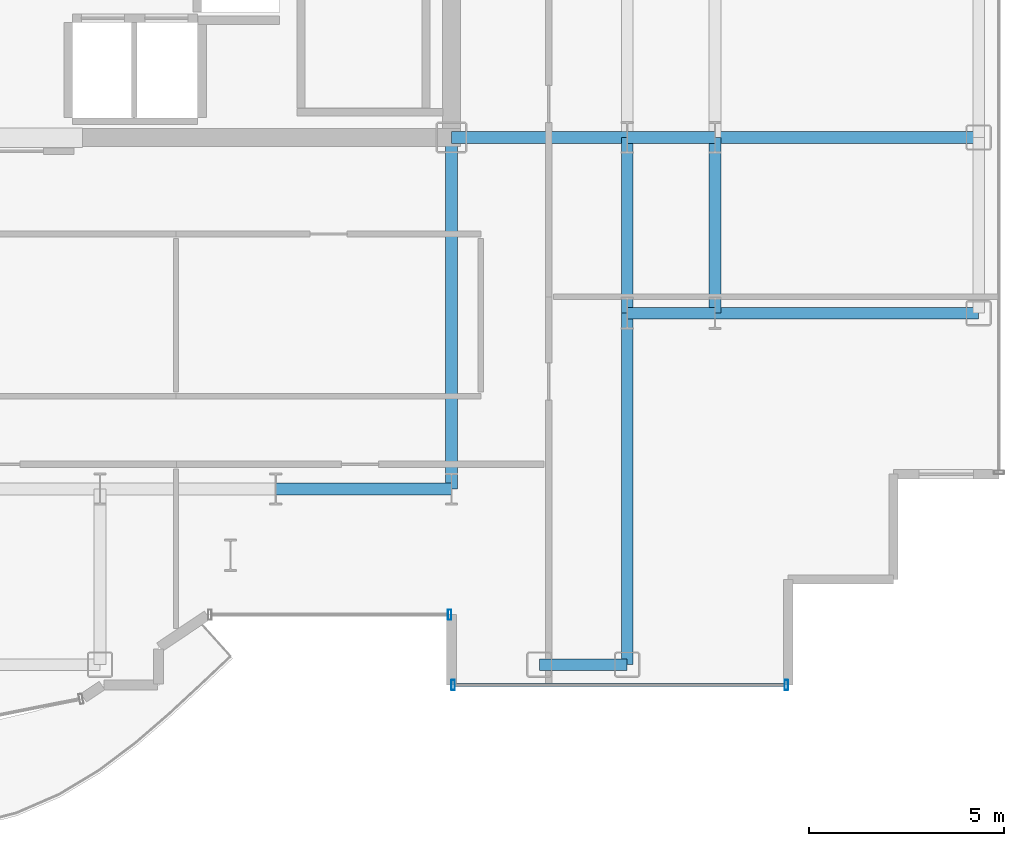
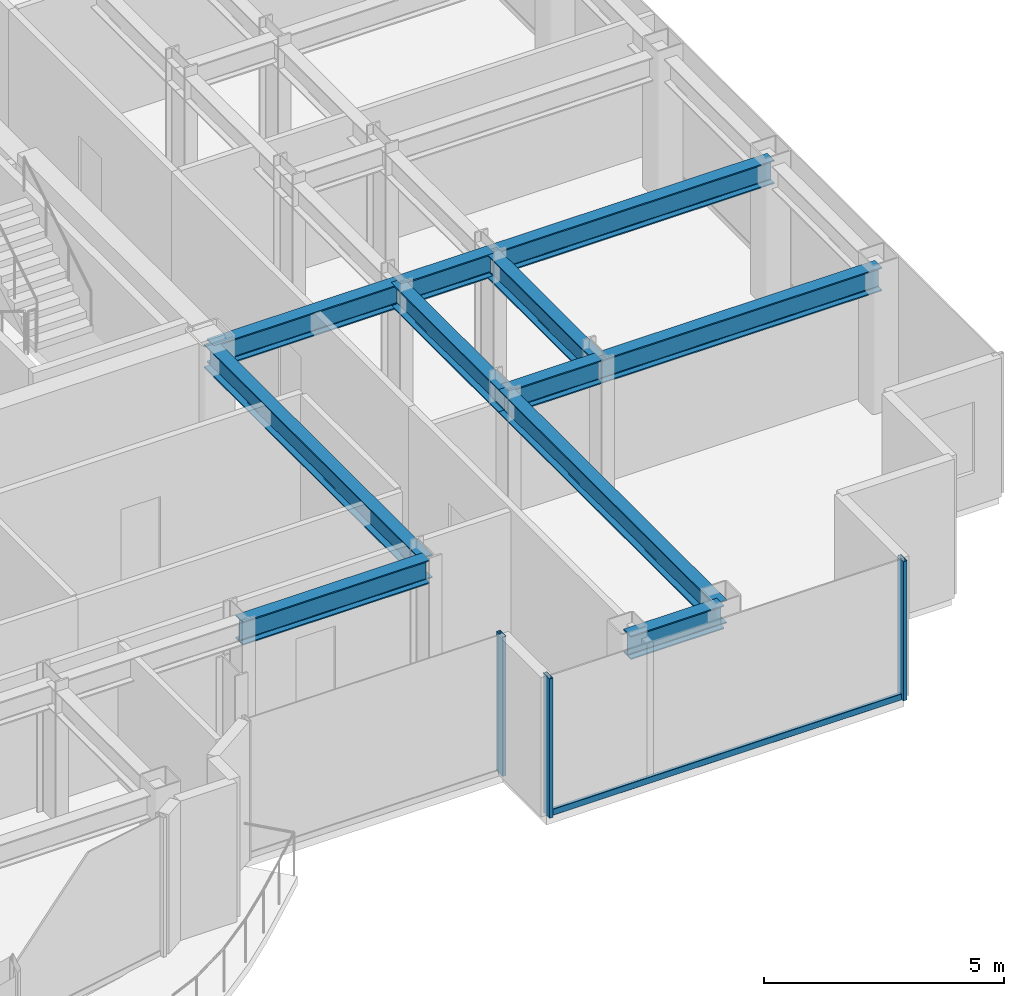
# One storey, part 5 of 20: 11 beams, 4 members, 2 elements without a shape of their own.
"""IFC4 building model written with IfcOpenShell, lengths in metres."""

from ifc_helpers import new_model, si_unit, direction, frame, origin, origin_2d, place, context, subcontext, project, spatial, hollow_rectangle, i_section, extrude, source, transform, mapped, material, layer, layer_set, material_profile, profile_set, type_object, element, aggregate, save


model = new_model("IFC4")

# Units and contexts
model_context = context("Model", 3, precision=1e-05, world=origin(), true_north=direction((0.0, 1.0)))
body_context = subcontext(model_context, "Body", "Model", "MODEL_VIEW")
ifc_project = project(units=[si_unit("LENGTHUNIT", "METRE"), si_unit("AREAUNIT", "SQUARE_METRE"), si_unit("VOLUMEUNIT", "CUBIC_METRE"), si_unit("PLANEANGLEUNIT", "RADIAN"), si_unit("MASSUNIT", "GRAM", prefix="KILO")], contexts=[model_context])

# Site, building, storey
site_placement = place(None, origin())
site = spatial("IfcSite", under=ifc_project, at=site_placement, CompositionType="ELEMENT")
building_placement = place(site_placement, origin())
building = spatial("IfcBuilding", under=site, at=building_placement, Name="Nefas-Gora Pilgrimage Tower", CompositionType="ELEMENT")
storey_placement = place(building_placement, frame((0.0, 0.0, 225.60009765625)))
storey = spatial("IfcBuildingStorey", under=building, at=storey_placement, Name="L56", CompositionType="ELEMENT", Elevation=225.60009765625)

# Beams
ifc_material_1 = material(Name="Steel S355", Category="steel")
ifc_material_profile_1 = material_profile(ifc_material_1, i_section(OverallWidth=0.300048828125, OverallDepth=0.60009765625, WebThickness=0.015380859375, FlangeThickness=0.030029296875, FilletRadius=0.027099609375, at=origin_2d()), Name="HEB 600")
ifc_profile_set_1 = profile_set([ifc_material_profile_1], Name="Steel S355")
beam_type_1 = type_object("IfcBeamType", Name="BM-GIR-HEB600", PredefinedType="BEAM", material=ifc_profile_set_1)
shared_shape_1 = source(origin(), body_context, "Body", "SweptSolid", [
    extrude(i_section(OverallWidth=0.300048828125, OverallDepth=0.60009765625, WebThickness=0.015380859375, FlangeThickness=0.030029296875, FilletRadius=0.027099609375, at=origin_2d()), origin(), (0.0, 0.0, 1.0), 9.0),
])
for number, where, z_axis, x_axis, name in (
    (1, (11.25, -18.0, 3.25), (0.0, 1.0, 0.0), (-1.0, 0.0, 0.0), "L56 G-04 beam"),
    (2, (15.75, -22.5, 3.25), (0.0, 1.0, 0.0), (-1.0, 0.0, 0.0), "L56 G-04 beam"),
):
    element("IfcBeam", number, at=place(storey_placement, frame(where, z_axis=z_axis, x_axis=x_axis)), inside=storey, type_object=beam_type_1, Name=name, PredefinedType="BEAM", context=body_context, shape_type="MappedRepresentation", body=[
        mapped(shared_shape_1, transform((0.0, 0.0, 0.0), x_axis=(1.0, 0.0, 0.0), y_axis=(0.0, 1.0, 0.0), z_axis=(0.0, 0.0, 1.0), scale=1.0)),
    ])
shared_shape_2 = source(origin(), body_context, "Body", "SweptSolid", [
    extrude(i_section(OverallWidth=0.300048828125, OverallDepth=0.60009765625, WebThickness=0.015380859375, FlangeThickness=0.030029296875, FilletRadius=0.027099609375, at=origin_2d()), origin(), (0.0, 0.0, 1.0), 4.5),
])
for number, where, z_axis, x_axis, name in (
    (3, (6.75, -18.0, 3.25), (1.0, 0.0, 0.0), (0.0, 1.0, 0.0), "L56 G-04 beam"),
    (4, (11.25, -9.0, 3.25), (1.0, 0.0, 0.0), (0.0, 1.0, 0.0), "L56 G-04 beam"),
    (5, (15.75, -13.5, 3.25), (0.0, 1.0, 0.0), (-1.0, 0.0, 0.0), "L56 G-04 beam"),
    (6, (18.0, -13.5, 3.25), (0.0, 1.0, 0.0), (-1.0, 0.0, 0.0), "L56 G-04 beam"),
):
    element("IfcBeam", number, at=place(storey_placement, frame(where, z_axis=z_axis, x_axis=x_axis)), inside=storey, type_object=beam_type_1, Name=name, PredefinedType="BEAM", context=body_context, shape_type="MappedRepresentation", body=[
        mapped(shared_shape_2, transform((0.0, 0.0, 0.0), x_axis=(1.0, 0.0, 0.0), y_axis=(0.0, 1.0, 0.0), z_axis=(0.0, 0.0, 1.0), scale=1.0)),
    ])
shared_shape_3 = source(origin(), body_context, "Body", "SweptSolid", [
    extrude(i_section(OverallWidth=0.300048828125, OverallDepth=0.60009765625, WebThickness=0.015380859375, FlangeThickness=0.030029296875, FilletRadius=0.027099609375, at=origin_2d()), origin(), (0.0, 0.0, 1.0), 6.75),
])
for number, where, z_axis, x_axis, name in (
    (7, (18.0, -13.5, 3.25), (1.0, 0.0, 0.0), (0.0, 1.0, 0.0), "L56 G-04 beam"),
    (8, (18.0, -9.0, 3.25), (1.0, 0.0, 0.0), (0.0, 1.0, 0.0), "L56 G-04 beam"),
):
    element("IfcBeam", number, at=place(storey_placement, frame(where, z_axis=z_axis, x_axis=x_axis)), inside=storey, type_object=beam_type_1, Name=name, PredefinedType="BEAM", context=body_context, shape_type="MappedRepresentation", body=[
        mapped(shared_shape_3, transform((0.0, 0.0, 0.0), x_axis=(1.0, 0.0, 0.0), y_axis=(0.0, 1.0, 0.0), z_axis=(0.0, 0.0, 1.0), scale=1.0)),
    ])
ifc_material_profile_2 = material_profile(ifc_material_1, i_section(OverallWidth=0.300048828125, OverallDepth=0.60009765625, WebThickness=0.015380859375, FlangeThickness=0.030029296875, FilletRadius=0.027099609375, at=origin_2d()), Name="HEB 600")
ifc_profile_set_2 = profile_set([ifc_material_profile_2], Name="Steel S355")
beam_type_2 = type_object("IfcBeamType", Name="BM-SPN-HEB450", PredefinedType="SPANDREL", material=ifc_profile_set_2)
shared_shape_4 = source(origin(), body_context, "Body", "SweptSolid", [
    extrude(i_section(OverallWidth=0.300048828125, OverallDepth=0.60009765625, WebThickness=0.015380859375, FlangeThickness=0.030029296875, FilletRadius=0.027099609375, at=origin_2d()), origin(), (0.0, 0.0, 1.0), 2.25),
])
beam_placement = place(storey_placement, frame((13.5, -22.5, 3.25), z_axis=(1.0, 0.0, 0.0), x_axis=(0.0, 1.0, 0.0)))
element("IfcBeam", 9, at=beam_placement, inside=storey, type_object=beam_type_2, Name="L56 SP-03 beam", PredefinedType="SPANDREL", context=body_context, shape_type="MappedRepresentation", body=[
    mapped(shared_shape_4, transform((0.0, 0.0, 0.0), x_axis=(1.0, 0.0, 0.0), y_axis=(0.0, 1.0, 0.0), z_axis=(0.0, 0.0, 1.0), scale=1.0)),
])
shared_shape_5 = source(origin(), body_context, "Body", "SweptSolid", [
    extrude(i_section(OverallWidth=0.300048828125, OverallDepth=0.60009765625, WebThickness=0.015380859375, FlangeThickness=0.030029296875, FilletRadius=0.027099609375, at=origin_2d()), origin(), (0.0, 0.0, 1.0), 2.25),
])
for number, where, z_axis, x_axis, name in (
    (10, (15.75, -13.5, 3.25), (1.0, 0.0, 0.0), (0.0, 1.0, 0.0), "L56 G-04 beam"),
    (11, (15.75, -9.0, 3.25), (1.0, 0.0, 0.0), (0.0, 1.0, 0.0), "L56 G-04 beam"),
):
    element("IfcBeam", number, at=place(storey_placement, frame(where, z_axis=z_axis, x_axis=x_axis)), inside=storey, type_object=beam_type_1, Name=name, PredefinedType="BEAM", context=body_context, shape_type="MappedRepresentation", body=[
        mapped(shared_shape_5, transform((0.0, 0.0, 0.0), x_axis=(1.0, 0.0, 0.0), y_axis=(0.0, 1.0, 0.0), z_axis=(0.0, 0.0, 1.0), scale=1.0)),
    ])

# Curtain wall, member
ifc_material_2 = material(Name="Dark ceramic-fritted solar-control aluminium-glass curtain wall", Category="aluminium")
ifc_layer_1 = layer(ifc_material_2, 0.219970703125)
ifc_layer_set_1 = layer_set([ifc_layer_1], Name="Dark ceramic-fritted solar-control aluminium-glass curtain wall")
curtain_wall_type_1 = type_object("IfcCurtainWallType", Name="CW-SYS-5", PredefinedType="NOTDEFINED", material=ifc_layer_set_1)
curtain_wall_1_placement = place(storey_placement, origin())
curtain_wall_1 = element("IfcCurtainWall", 12, at=curtain_wall_1_placement, inside=storey, type_object=curtain_wall_type_1, Name="L56 Unitised Curtain Wall CW5", PredefinedType="NOTDEFINED")
ifc_material_3 = material(Name="Anodised architectural aluminium", Category="aluminium")
ifc_material_profile_3 = material_profile(ifc_material_3, hollow_rectangle(XDim=0.090087890625, YDim=0.260009765625, WallThickness=0.006103515625, InnerFilletRadius=0.006103515625, OuterFilletRadius=0.011962890625, at=origin_2d()), Name="ALU MULLION 90x260")
ifc_profile_set_3 = profile_set([ifc_material_profile_3], Name="Anodised architectural aluminium")
member_type_1 = type_object("IfcMemberType", Name="CWM-MUL-5", PredefinedType="MULLION", material=ifc_profile_set_3)
shared_shape_6 = source(origin(), body_context, "Body", "SweptSolid", [
    extrude(hollow_rectangle(XDim=0.090087890625, YDim=0.260009765625, WallThickness=0.006103515625, InnerFilletRadius=0.006103515625, OuterFilletRadius=0.011962890625, at=origin_2d()), origin(), (0.0, 0.0, 1.0), 3.5498046875),
])
member_1_placement = place(storey_placement, frame((11.205078125, -21.219970703125, 0.0), z_axis=(0.0, 0.0, 1.0), x_axis=(1.0, 0.0, 0.0)))
member_1 = element("IfcMember", 13, at=member_1_placement, type_object=member_type_1, Name="CW5 Mullion 2", PredefinedType="MULLION", context=body_context, shape_type="MappedRepresentation", body=[
    mapped(shared_shape_6, transform((0.0, 0.0, 0.0), x_axis=(1.0, 0.0, 0.0), y_axis=(0.0, 1.0, 0.0), z_axis=(0.0, 0.0, 1.0), scale=1.0)),
])
aggregate(curtain_wall_1, [member_1])

# Curtain wall, members
ifc_layer_2 = layer(ifc_material_2, 0.219970703125)
ifc_layer_set_2 = layer_set([ifc_layer_2], Name="Dark ceramic-fritted solar-control aluminium-glass curtain wall")
curtain_wall_type_2 = type_object("IfcCurtainWallType", Name="CW-SYS-3", PredefinedType="NOTDEFINED", material=ifc_layer_set_2)
curtain_wall_2_placement = place(storey_placement, origin())
curtain_wall_2 = element("IfcCurtainWall", 14, at=curtain_wall_2_placement, inside=storey, type_object=curtain_wall_type_2, Name="L56 Unitised Curtain Wall CW3", PredefinedType="NOTDEFINED")
ifc_material_profile_4 = material_profile(ifc_material_3, hollow_rectangle(XDim=0.080078125, YDim=0.159912109375, WallThickness=0.00439453125, InnerFilletRadius=0.00439453125, OuterFilletRadius=0.009033203125, at=origin_2d()), Name="ALU TRANSOM 80x160")
ifc_profile_set_4 = profile_set([ifc_material_profile_4], Name="Anodised architectural aluminium")
member_type_2 = type_object("IfcMemberType", Name="CWM-TRN-3", PredefinedType="USERDEFINED", material=ifc_profile_set_4)
shared_shape_7 = source(origin(), body_context, "Body", "SweptSolid", [
    extrude(hollow_rectangle(XDim=0.080078125, YDim=0.159912109375, WallThickness=0.00439453125, InnerFilletRadius=0.00439453125, OuterFilletRadius=0.009033203125, at=origin_2d()), origin(), (0.0, 0.0, 1.0), 8.43994140625),
])
member_2_placement = place(storey_placement, frame((11.340087890625, -23.02001953125, 0.0498046875), z_axis=(1.0, 0.0, 0.0), x_axis=(0.0, 1.0, 0.0)))
member_2 = element("IfcMember", 15, at=member_2_placement, type_object=member_type_2, Name="CW3 Spandrel Transom", ObjectType="TRANSOM", PredefinedType="USERDEFINED", context=body_context, shape_type="MappedRepresentation", body=[
    mapped(shared_shape_7, transform((0.0, 0.0, 0.0), x_axis=(1.0, 0.0, 0.0), y_axis=(0.0, 1.0, 0.0), z_axis=(0.0, 0.0, 1.0), scale=1.0)),
])
ifc_material_profile_5 = material_profile(ifc_material_3, hollow_rectangle(XDim=0.090087890625, YDim=0.260009765625, WallThickness=0.006103515625, InnerFilletRadius=0.006103515625, OuterFilletRadius=0.011962890625, at=origin_2d()), Name="ALU MULLION 90x260")
ifc_profile_set_5 = profile_set([ifc_material_profile_5], Name="Anodised architectural aluminium")
member_type_3 = type_object("IfcMemberType", Name="CWM-MUL-3", PredefinedType="MULLION", material=ifc_profile_set_5)
shared_shape_8 = source(origin(), body_context, "Body", "SweptSolid", [
    extrude(hollow_rectangle(XDim=0.090087890625, YDim=0.260009765625, WallThickness=0.006103515625, InnerFilletRadius=0.006103515625, OuterFilletRadius=0.011962890625, at=origin_2d()), origin(), (0.0, 0.0, 1.0), 3.5498046875),
])
member_3_placement = place(storey_placement, frame((11.294921875, -23.02001953125, 0.0), z_axis=(0.0, 0.0, 1.0), x_axis=(1.0, 0.0, 0.0)))
member_3 = element("IfcMember", 16, at=member_3_placement, type_object=member_type_3, Name="CW3 Mullion 1", PredefinedType="MULLION", context=body_context, shape_type="MappedRepresentation", body=[
    mapped(shared_shape_8, transform((0.0, 0.0, 0.0), x_axis=(1.0, 0.0, 0.0), y_axis=(0.0, 1.0, 0.0), z_axis=(0.0, 0.0, 1.0), scale=1.0)),
])
member_4_placement = place(storey_placement, frame((19.824951171875, -23.02001953125, 0.0), z_axis=(0.0, 0.0, 1.0), x_axis=(1.0, 0.0, 0.0)))
member_4 = element("IfcMember", 17, at=member_4_placement, type_object=member_type_3, Name="CW3 Mullion 2", PredefinedType="MULLION", context=body_context, shape_type="MappedRepresentation", body=[
    mapped(shared_shape_8, transform((0.0, 0.0, 0.0), x_axis=(1.0, 0.0, 0.0), y_axis=(0.0, 1.0, 0.0), z_axis=(0.0, 0.0, 1.0), scale=1.0)),
])
aggregate(curtain_wall_2, [member_3, member_4, member_2])

save(model, "model.ifc")
